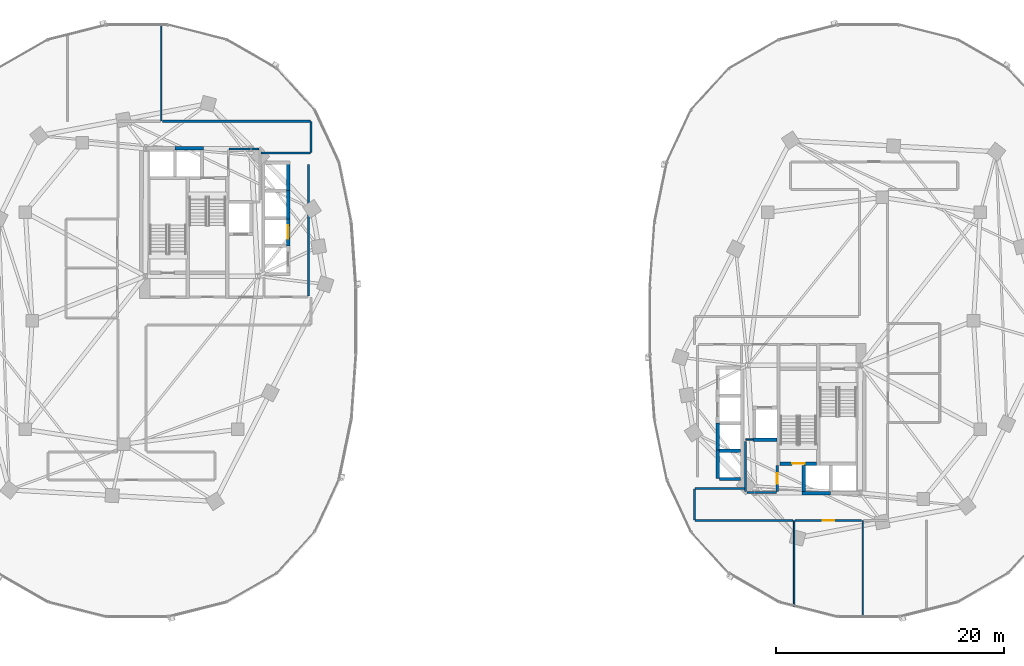
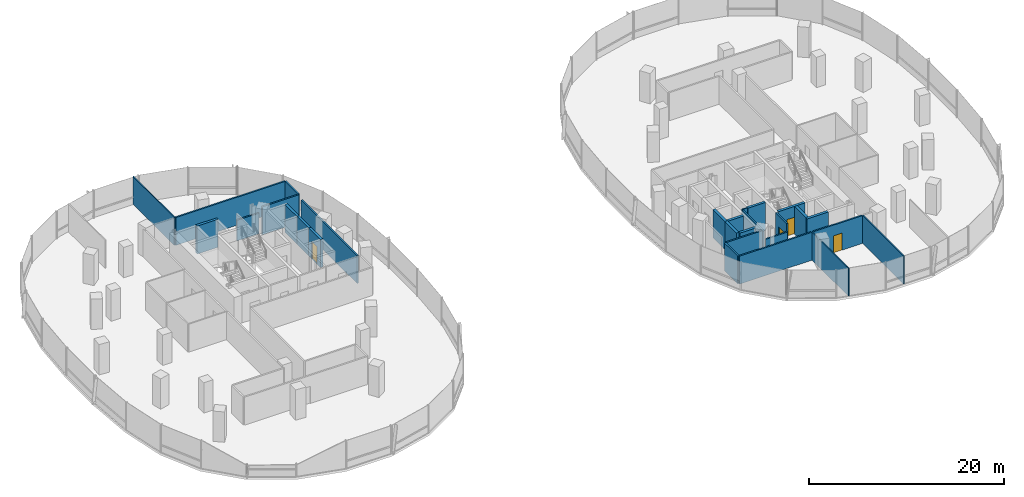
# One storey, part 12 of 21: 28 walls, 4 doors, 4 openings.
"""IFC4 building model written with IfcOpenShell, lengths in metres."""

from ifc_helpers import new_model, si_unit, direction, frame, frame_2d, origin, place, context, subcontext, project, spatial, rectangle, extrude, material, layer, layer_set, type_object, element, fill, save


model = new_model("IFC4")

# Units and contexts
model_context = context("Model", 3, precision=1e-05, world=origin(), true_north=direction((0.0, 1.0)))
body_context = subcontext(model_context, "Body", "Model", "MODEL_VIEW")
ifc_project = project(units=[si_unit("LENGTHUNIT", "METRE"), si_unit("AREAUNIT", "SQUARE_METRE"), si_unit("VOLUMEUNIT", "CUBIC_METRE"), si_unit("PLANEANGLEUNIT", "RADIAN"), si_unit("MASSUNIT", "GRAM", prefix="KILO"), si_unit("THERMODYNAMICTEMPERATUREUNIT", "KELVIN"), si_unit("POWERUNIT", "WATT")], contexts=[model_context])

# Site, building, storey
site_placement = place(None, origin())
site = spatial("IfcSite", under=ifc_project, at=site_placement, CompositionType="ELEMENT")
building_placement = place(site_placement, origin())
building = spatial("IfcBuilding", under=site, at=building_placement, Name="Cundina Bronze Exchange", CompositionType="ELEMENT")
storey_placement = place(building_placement, frame((0.0, 0.0, 69.60009765625)))
storey = spatial("IfcBuildingStorey", under=building, at=storey_placement, Name="L17", CompositionType="ELEMENT", Elevation=69.60009765625)

# Walls
ifc_material_1 = material(Name="Gypsum Fireboard Partition EI120")
ifc_layer_1 = layer(ifc_material_1, 0.179931640625, Name="Gypsum Fireboard Partition EI120")
ifc_layer_set_1 = layer_set([ifc_layer_1], Name="Gypsum Fireboard Partition EI120")
wall_type_1 = type_object("IfcWallType", Name="WL-COR-180", PredefinedType="PARTITIONING", material=ifc_layer_set_1)
wall_1_placement = place(storey_placement, frame((-17.02001953125, 2.169921875, 0.0), z_axis=(0.0, 0.0, 1.0), x_axis=(0.0, 1.0, 0.0)))
element("IfcWall", 1, at=wall_1_placement, inside=storey, type_object=wall_type_1, Name="L17 Interior Partition 001", PredefinedType="PARTITIONING", context=body_context, shape_type="SweptSolid", body=[
    extrude(rectangle(XDim=11.510009765625, YDim=0.179931640625, at=frame_2d((5.7548828125, 0.0))), origin(), (0.0, 0.0, 1.0), 3.5),
])
wall_2_placement = place(storey_placement, frame((-23.9599609375, 15.030029296875, 0.0), z_axis=(0.0, 0.0, 1.0), x_axis=(1.0, 0.0, 0.0)))
element("IfcWall", 2, at=wall_2_placement, inside=storey, type_object=wall_type_1, Name="L17 Interior Partition 005", PredefinedType="PARTITIONING", context=body_context, shape_type="SweptSolid", body=[
    extrude(rectangle(XDim=2.60986328125, YDim=0.179931640625, at=frame_2d((1.304931640625, 0.0))), origin(), (0.0, 0.0, 1.0), 2.572998046875),
])
wall_3_placement = place(storey_placement, frame((-16.821533203125, 17.469970703125, 0.0), z_axis=(0.0, 0.0, 1.0), x_axis=(-1.0, 0.0, 0.0)))
element("IfcWall", 3, at=wall_3_placement, inside=storey, type_object=wall_type_1, Name="L17 Interior Partition 019", PredefinedType="PARTITIONING", context=body_context, shape_type="SweptSolid", body=[
    extrude(rectangle(XDim=12.988525390625, YDim=0.179931640625, at=frame_2d((6.494140625, 0.0))), origin(), (0.0, 0.0, 1.0), 3.5),
])
wall_4_placement = place(storey_placement, frame((-21.178466796875, 14.679931640625, 0.0), z_axis=(0.0, 0.0, 1.0), x_axis=(1.0, 0.0, 0.0)))
element("IfcWall", 4, at=wall_4_placement, inside=storey, type_object=wall_type_1, Name="L17 Interior Partition 025", PredefinedType="PARTITIONING", context=body_context, shape_type="SweptSolid", body=[
    extrude(rectangle(XDim=4.35693359375, YDim=0.179931640625, at=frame_2d((2.178466796875, 0.0))), origin(), (0.0, 0.0, 1.0), 3.5),
])
wall_5_placement = place(storey_placement, frame((-16.780029296875, 14.721435546875, 0.0), z_axis=(0.0, 0.0, 1.0), x_axis=(0.0, 1.0, 0.0)))
element("IfcWall", 5, at=wall_5_placement, inside=storey, type_object=wall_type_1, Name="L17 Interior Partition 027", PredefinedType="PARTITIONING", context=body_context, shape_type="SweptSolid", body=[
    extrude(rectangle(XDim=2.70703125, YDim=0.179931640625, at=frame_2d((1.353515625, 0.0))), origin(), (0.0, 0.0, 1.0), 3.5),
])
wall_6_placement = place(storey_placement, frame((21.25, -14.929931640625, 0.0), z_axis=(0.0, 0.0, 1.0), x_axis=(0.0, 1.0, 0.0)))
element("IfcWall", 6, at=wall_6_placement, inside=storey, type_object=wall_type_1, Name="L17 Interior Partition 034", PredefinedType="PARTITIONING", context=body_context, shape_type="SweptSolid", body=[
    extrude(rectangle(XDim=4.35986328125, YDim=0.179931640625, at=frame_2d((2.179931640625, 0.0))), origin(), (0.0, 0.0, 1.0), 3.5),
])
wall_7_placement = place(storey_placement, frame((21.35009765625, -15.030029296875, 0.0), z_axis=(0.0, 0.0, 1.0), x_axis=(1.0, 0.0, 0.0)))
element("IfcWall", 7, at=wall_7_placement, inside=storey, type_object=wall_type_1, Name="L17 Interior Partition 035", PredefinedType="PARTITIONING", context=body_context, shape_type="SweptSolid", body=[
    extrude(rectangle(XDim=2.60986328125, YDim=0.179931640625, at=frame_2d((1.304931640625, 0.0))), origin(), (0.0, 0.0, 1.0), 2.572998046875),
])

# Wall, opening, door
wall_8_placement = place(storey_placement, frame((24.02001953125, -14.929931640625, 0.0), z_axis=(0.0, 0.0, 1.0), x_axis=(0.0, 1.0, 0.0)))
wall_8 = element("IfcWall", 8, at=wall_8_placement, inside=storey, type_object=wall_type_1, Name="L17 Interior Partition 037", PredefinedType="PARTITIONING", context=body_context, shape_type="SweptSolid", body=[
    extrude(rectangle(XDim=2.260009765625, YDim=0.179931640625, at=frame_2d((1.1298828125, 0.0))), origin(), (0.0, 0.0, 1.0), 3.5),
])
opening_1_placement = place(wall_8_placement, frame((0.655029296875, 0.0, 0.0)))
opening_1 = element("IfcOpeningElement", 9, at=opening_1_placement, cuts=wall_8, Name="Opening DW-01", PredefinedType="OPENING", context=body_context, shape_type="SweptSolid", body=[
    extrude(rectangle(XDim=0.949951171875, YDim=2.10009765625, at=frame_2d((0.47509765625, 1.050048828125))), frame((0.0, 0.099853515625, 0.0), z_axis=(0.0, -1.0, 0.0), x_axis=(1.0, 0.0, 0.0)), (0.0, 0.0, 1.0), 0.199951171875),
])
ifc_material_2 = material(Name="Solid Andean Oak Timber Grade A", Category="wood")
door_type_1 = type_object("IfcDoorType", Name="DR-WC-950", OperationType="NOTDEFINED", PredefinedType="DOOR", material=ifc_material_2)
door_1_placement = place(opening_1_placement, origin())
door_1 = element("IfcDoor", 10, at=door_1_placement, inside=storey, type_object=door_type_1, Name="L17 Interior Door 037", OperationType="SINGLE_SWING_LEFT", OverallHeight=2.10009765625, OverallWidth=0.949951171875, PredefinedType="DOOR", context=body_context, shape_type="SweptSolid", body=[
    extrude(rectangle(XDim=0.949951171875, YDim=2.10009765625, at=frame_2d((0.47509765625, 1.050048828125))), frame((0.0, 0.02490234375, 0.0), z_axis=(0.0, -1.0, 0.0), x_axis=(1.0, 0.0, 0.0)), (0.0, 0.0, 1.0), 0.050048828125),
])
fill(opening_1, door_1)

wall_9_placement = place(storey_placement, frame((25.590087890625, -17.469970703125, 0.0), z_axis=(0.0, 0.0, 1.0), x_axis=(1.0, 0.0, 0.0)))
wall_9 = element("IfcWall", 11, at=wall_9_placement, inside=storey, type_object=wall_type_1, Name="L17 Interior Partition 048", PredefinedType="PARTITIONING", context=body_context, shape_type="SweptSolid", body=[
    extrude(rectangle(XDim=5.81982421875, YDim=0.179931640625, at=frame_2d((2.909912109375, 0.0))), origin(), (0.0, 0.0, 1.0), 3.5),
])
opening_2_placement = place(wall_9_placement, frame((2.409912109375, 0.0, 0.0)))
opening_2 = element("IfcOpeningElement", 12, at=opening_2_placement, cuts=wall_9, Name="Opening DO-01", PredefinedType="OPENING", context=body_context, shape_type="SweptSolid", body=[
    extrude(rectangle(XDim=1.0, YDim=2.14990234375, at=frame_2d((0.5, 1.074951171875))), frame((0.0, 0.099853515625, 0.0), z_axis=(0.0, -1.0, 0.0), x_axis=(1.0, 0.0, 0.0)), (0.0, 0.0, 1.0), 0.199951171875),
])
door_type_2 = type_object("IfcDoorType", Name="DR-OFF-1000", OperationType="NOTDEFINED", PredefinedType="DOOR", material=ifc_material_2)
door_2_placement = place(opening_2_placement, origin())
door_2 = element("IfcDoor", 13, at=door_2_placement, inside=storey, type_object=door_type_2, Name="L17 Interior Door 048", OperationType="SINGLE_SWING_LEFT", OverallHeight=2.14990234375, OverallWidth=1.0, PredefinedType="DOOR", context=body_context, shape_type="SweptSolid", body=[
    extrude(rectangle(XDim=1.0, YDim=2.14990234375, at=frame_2d((0.5, 1.074951171875))), frame((0.0, 0.02490234375, 0.0), z_axis=(0.0, -1.0, 0.0), x_axis=(1.0, 0.0, 0.0)), (0.0, 0.0, 1.0), 0.050048828125),
])
fill(opening_2, door_2)

# Walls
wall_10_placement = place(storey_placement, frame((16.821533203125, -17.469970703125, 0.0), z_axis=(0.0, 0.0, 1.0), x_axis=(1.0, 0.0, 0.0)))
element("IfcWall", 14, at=wall_10_placement, inside=storey, type_object=wall_type_1, Name="L17 Interior Partition 053", PredefinedType="PARTITIONING", context=body_context, shape_type="SweptSolid", body=[
    extrude(rectangle(XDim=8.58837890625, YDim=0.179931640625, at=frame_2d((4.294189453125, 0.0))), origin(), (0.0, 0.0, 1.0), 3.5),
])
wall_11_placement = place(storey_placement, frame((21.178466796875, -14.679931640625, 0.0), z_axis=(0.0, 0.0, 1.0), x_axis=(-1.0, 0.0, 0.0)))
element("IfcWall", 15, at=wall_11_placement, inside=storey, type_object=wall_type_1, Name="L17 Interior Partition 057", PredefinedType="PARTITIONING", context=body_context, shape_type="SweptSolid", body=[
    extrude(rectangle(XDim=4.35693359375, YDim=0.179931640625, at=frame_2d((2.178466796875, 0.0))), origin(), (0.0, 0.0, 1.0), 3.5),
])
wall_12_placement = place(storey_placement, frame((16.780029296875, -14.721435546875, 0.0), z_axis=(0.0, 0.0, 1.0), x_axis=(0.0, -1.0, 0.0)))
element("IfcWall", 16, at=wall_12_placement, inside=storey, type_object=wall_type_1, Name="L17 Interior Partition 058", PredefinedType="PARTITIONING", context=body_context, shape_type="SweptSolid", body=[
    extrude(rectangle(XDim=2.70703125, YDim=0.179931640625, at=frame_2d((1.353515625, 0.0))), origin(), (0.0, 0.0, 1.0), 3.5),
])
ifc_material_3 = material(Name="Gypsum Acoustic Partition EI60")
ifc_layer_2 = layer(ifc_material_3, 0.125, Name="Gypsum Acoustic Partition EI60")
ifc_layer_set_2 = layer_set([ifc_layer_2], Name="Gypsum Acoustic Partition EI60")
wall_type_2 = type_object("IfcWallType", Name="WL-OFF-125", PredefinedType="PARTITIONING", material=ifc_layer_set_2)
wall_13_placement = place(storey_placement, frame((-29.89990234375, 17.5, 0.0), z_axis=(0.0, 0.0, 1.0), x_axis=(0.0, 1.0, 0.0)))
element("IfcWall", 17, at=wall_13_placement, inside=storey, type_object=wall_type_2, Name="L17 Interior Partition 016", PredefinedType="PARTITIONING", context=body_context, shape_type="SweptSolid", body=[
    extrude(rectangle(XDim=8.485107421875, YDim=0.125, at=frame_2d((4.24267578125, 0.0))), origin(), (0.0, 0.0, 1.0), 3.5),
])
wall_14_placement = place(storey_placement, frame((25.5, -25.02490234375, 0.0), z_axis=(0.0, 0.0, 1.0), x_axis=(0.0, 1.0, 0.0)))
element("IfcWall", 18, at=wall_14_placement, inside=storey, type_object=wall_type_2, Name="L17 Interior Partition 045", PredefinedType="PARTITIONING", context=body_context, shape_type="SweptSolid", body=[
    extrude(rectangle(XDim=7.52490234375, YDim=0.125, at=frame_2d((3.762451171875, 0.0))), origin(), (0.0, 0.0, 1.0), 3.5),
])
wall_15_placement = place(storey_placement, frame((31.5, -25.985107421875, 0.0), z_axis=(0.0, 0.0, 1.0), x_axis=(0.0, 1.0, 0.0)))
element("IfcWall", 19, at=wall_15_placement, inside=storey, type_object=wall_type_2, Name="L17 Interior Partition 046", PredefinedType="PARTITIONING", context=body_context, shape_type="SweptSolid", body=[
    extrude(rectangle(XDim=8.485107421875, YDim=0.125, at=frame_2d((4.24267578125, 0.0))), origin(), (0.0, 0.0, 1.0), 3.5),
])
ifc_material_4 = material(Name="Concrete C50/60", Category="concrete")
ifc_layer_3 = layer(ifc_material_4, 0.300048828125, Name="Concrete C50/60", Category="concrete")
ifc_layer_set_3 = layer_set([ifc_layer_3], Name="Concrete C50/60")
wall_type_3 = type_object("IfcWallType", Name="WL-SHFT-300", PredefinedType="SHEAR", material=ifc_layer_set_3)
wall_16_placement = place(storey_placement, frame((-28.699951171875, 15.10009765625, 0.0), z_axis=(0.0, 0.0, 1.0), x_axis=(1.0, 0.0, 0.0)))
element("IfcWall", 20, at=wall_16_placement, inside=storey, type_object=wall_type_3, Name="L17 PH-W2 Hoistway Front Wall", PredefinedType="SHEAR", context=body_context, shape_type="SweptSolid", body=[
    extrude(rectangle(XDim=2.5, YDim=0.300048828125, at=frame_2d((1.25, 0.0))), origin(), (0.0, 0.0, 1.0), 3.5),
])

# Wall, opening, door
wall_17_placement = place(storey_placement, frame((-18.800048828125, 6.530029296875, 0.0), z_axis=(0.0, 0.0, 1.0), x_axis=(0.0, 1.0, 0.0)))
wall_17 = element("IfcWall", 21, at=wall_17_placement, inside=storey, type_object=wall_type_3, Name="L17 PL-W1 Hoistway Front Wall", PredefinedType="SHEAR", context=body_context, shape_type="SweptSolid", body=[
    extrude(rectangle(XDim=2.489990234375, YDim=0.300048828125, at=frame_2d((1.2451171875, 0.0))), origin(), (0.0, 0.0, 1.0), 3.5),
])
opening_3_placement = place(wall_17_placement, frame((0.669921875, 0.0, 0.0)))
opening_3 = element("IfcOpeningElement", 22, at=opening_3_placement, cuts=wall_17, Name="Opening LD-01", PredefinedType="OPENING", context=body_context, shape_type="SweptSolid", body=[
    extrude(rectangle(XDim=1.14990234375, YDim=2.199951171875, at=frame_2d((0.574951171875, 1.10009765625))), frame((0.0, 0.159912109375, 0.0), z_axis=(0.0, -1.0, 0.0), x_axis=(1.0, 0.0, 0.0)), (0.0, 0.0, 1.0), 0.320068359375),
])
ifc_material_5 = material(Name="Steel ASTM A36 Painted", Category="steel")
door_type_3 = type_object("IfcDoorType", Name="DR-LND-1150", OperationType="NOTDEFINED", PredefinedType="TRAPDOOR", material=ifc_material_5)
door_3_placement = place(opening_3_placement, origin())
door_3 = element("IfcDoor", 23, at=door_3_placement, inside=storey, type_object=door_type_3, Name="L17 PL-W1 Sliding Landing Door", OperationType="SLIDING_TO_LEFT", OverallHeight=2.199951171875, OverallWidth=1.14990234375, PredefinedType="TRAPDOOR", context=body_context, shape_type="SweptSolid", body=[
    extrude(rectangle(XDim=1.14990234375, YDim=2.199951171875, at=frame_2d((0.574951171875, 1.10009765625))), frame((0.0, 0.02490234375, 0.0), z_axis=(0.0, -1.0, 0.0), x_axis=(1.0, 0.0, 0.0)), (0.0, 0.0, 1.0), 0.050048828125),
])
fill(opening_3, door_3)

# Walls
for number, where, z_axis, x_axis, name in (
    (24, (-18.800048828125, 8.929931640625, 0.0), (0.0, 0.0, 1.0), (0.0, 1.0, 0.0), "L17 PM-W2 Hoistway Front Wall"),
    (25, (-18.800048828125, 11.330078125, 0.0), (0.0, 0.0, 1.0), (0.0, 1.0, 0.0), "L17 PM-W1 Hoistway Front Wall"),
):
    element("IfcWall", number, at=place(storey_placement, frame(where, z_axis=z_axis, x_axis=x_axis)), inside=storey, type_object=wall_type_3, Name=name, PredefinedType="SHEAR", context=body_context, shape_type="SweptSolid", body=[
        extrude(rectangle(XDim=2.489990234375, YDim=0.300048828125, at=frame_2d((1.2451171875, 0.0))), origin(), (0.0, 0.0, 1.0), 3.5),
    ])

# Wall, opening, door
wall_18_placement = place(storey_placement, frame((24.280029296875, -12.5, 0.0), z_axis=(0.0, 0.0, 1.0), x_axis=(1.0, 0.0, 0.0)))
wall_18 = element("IfcWall", 26, at=wall_18_placement, inside=storey, type_object=wall_type_3, Name="L17 Stair E2 Landing Wall", PredefinedType="SHEAR", context=body_context, shape_type="SweptSolid", body=[
    extrude(rectangle(XDim=3.159912109375, YDim=0.300048828125, at=frame_2d((1.580078125, 0.0))), origin(), (0.0, 0.0, 1.0), 3.5),
])
opening_4_placement = place(wall_18_placement, frame((1.030029296875, 0.0, 0.0)))
opening_4 = element("IfcOpeningElement", 27, at=opening_4_placement, cuts=wall_18, Name="Opening DS-01", PredefinedType="OPENING", context=body_context, shape_type="SweptSolid", body=[
    extrude(rectangle(XDim=1.10009765625, YDim=2.14990234375, at=frame_2d((0.550048828125, 1.074951171875))), frame((0.0, 0.159912109375, 0.0), z_axis=(0.0, -1.0, 0.0), x_axis=(1.0, 0.0, 0.0)), (0.0, 0.0, 1.0), 0.320068359375),
])
door_type_4 = type_object("IfcDoorType", Name="DR-STR-1100", OperationType="NOTDEFINED", PredefinedType="DOOR", material=ifc_material_5)
door_4_placement = place(opening_4_placement, origin())
door_4 = element("IfcDoor", 28, at=door_4_placement, inside=storey, type_object=door_type_4, Name="L17 Smokeproof Stair E2 Door", OperationType="SINGLE_SWING_RIGHT", OverallHeight=2.14990234375, OverallWidth=1.10009765625, PredefinedType="DOOR", context=body_context, shape_type="SweptSolid", body=[
    extrude(rectangle(XDim=1.10009765625, YDim=2.14990234375, at=frame_2d((0.550048828125, 1.074951171875))), frame((0.0, 0.02490234375, 0.0), z_axis=(0.0, -1.0, 0.0), x_axis=(1.0, 0.0, 0.0)), (0.0, 0.0, 1.0), 0.050048828125),
])
fill(opening_4, door_4)

# Walls
wall_19_placement = place(storey_placement, frame((21.8798828125, -10.39990234375, 0.0), z_axis=(0.0, 0.0, 1.0), x_axis=(1.0, 0.0, 0.0)))
element("IfcWall", 29, at=wall_19_placement, inside=storey, type_object=wall_type_3, Name="L17 FFL-E Hoistway Back Wall", PredefinedType="SHEAR", context=body_context, shape_type="SweptSolid", body=[
    extrude(rectangle(XDim=2.10009765625, YDim=0.300048828125, at=frame_2d((1.050048828125, 0.0))), origin(), (0.0, 0.0, 1.0), 3.5),
])
wall_20_placement = place(storey_placement, frame((26.199951171875, -15.10009765625, 0.0), z_axis=(0.0, 0.0, 1.0), x_axis=(1.0, 0.0, 0.0)))
element("IfcWall", 30, at=wall_20_placement, inside=storey, type_object=wall_type_3, Name="L17 PH-E2 Hoistway Front Wall", PredefinedType="SHEAR", context=body_context, shape_type="SweptSolid", body=[
    extrude(rectangle(XDim=2.5, YDim=0.300048828125, at=frame_2d((1.25, 0.0))), origin(), (0.0, 0.0, 1.0), 3.5),
])
wall_21_placement = place(storey_placement, frame((26.35009765625, -14.949951171875, 0.0), z_axis=(0.0, 0.0, 1.0), x_axis=(0.0, 1.0, 0.0)))
element("IfcWall", 31, at=wall_21_placement, inside=storey, type_object=wall_type_3, Name="L17 PH-E2 Hoistway Divider Wall", PredefinedType="SHEAR", context=body_context, shape_type="SweptSolid", body=[
    extrude(rectangle(XDim=2.300048828125, YDim=0.300048828125, at=frame_2d((1.14990234375, 0.0))), origin(), (0.0, 0.0, 1.0), 3.5),
])
for number, where, z_axis, x_axis, name in (
    (32, (18.949951171875, -13.85009765625, 0.0), (0.0, 0.0, 1.0), (1.0, 0.0, 0.0), "L17 E Passenger Bank South Cap Wall"),
    (33, (18.949951171875, -11.375, 0.0), (0.0, 0.0, 1.0), (1.0, 0.0, 0.0), "L17 E Passenger Hoistway Divider 1"),
):
    element("IfcWall", number, at=place(storey_placement, frame(where, z_axis=z_axis, x_axis=x_axis)), inside=storey, type_object=wall_type_3, Name=name, PredefinedType="SHEAR", context=body_context, shape_type="SweptSolid", body=[
        extrude(rectangle(XDim=1.85009765625, YDim=0.300048828125, at=frame_2d((0.925048828125, 0.0))), origin(), (0.0, 0.0, 1.0), 3.5),
    ])
for number, where, z_axis, x_axis, name in (
    (34, (18.800048828125, -13.820068359375, 0.0), (0.0, 0.0, 1.0), (0.0, 1.0, 0.0), "L17 PM-E1 Hoistway Front Wall"),
    (35, (18.800048828125, -11.419921875, 0.0), (0.0, 0.0, 1.0), (0.0, 1.0, 0.0), "L17 PM-E2 Hoistway Front Wall"),
):
    element("IfcWall", number, at=place(storey_placement, frame(where, z_axis=z_axis, x_axis=x_axis)), inside=storey, type_object=wall_type_3, Name=name, PredefinedType="SHEAR", context=body_context, shape_type="SweptSolid", body=[
        extrude(rectangle(XDim=2.489990234375, YDim=0.300048828125, at=frame_2d((1.2451171875, 0.0))), origin(), (0.0, 0.0, 1.0), 3.5),
    ])
ifc_material_6 = material(Name="Moisture-Resistant Masonry Block Grade M15", Category="masonry")
ifc_layer_4 = layer(ifc_material_6, 0.139892578125, Name="Moisture-Resistant Masonry Block Grade M15", Category="masonry")
ifc_layer_set_4 = layer_set([ifc_layer_4], Name="Moisture-Resistant Masonry Block Grade M15")
wall_type_4 = type_object("IfcWallType", Name="WL-WET-140", PredefinedType="PARTITIONING", material=ifc_layer_set_4)
wall_22_placement = place(storey_placement, frame((21.27001953125, -10.39990234375, 0.0), z_axis=(0.0, 0.0, 1.0), x_axis=(1.0, 0.0, 0.0)))
element("IfcWall", 36, at=wall_22_placement, inside=storey, type_object=wall_type_4, Name="L17 Interior Partition 033", PredefinedType="PARTITIONING", context=body_context, shape_type="SweptSolid", body=[
    extrude(rectangle(XDim=0.590087890625, YDim=0.139892578125, at=frame_2d((0.294921875, 0.0))), origin(), (0.0, 0.0, 1.0), 3.5),
])

save(model, "model.ifc")
